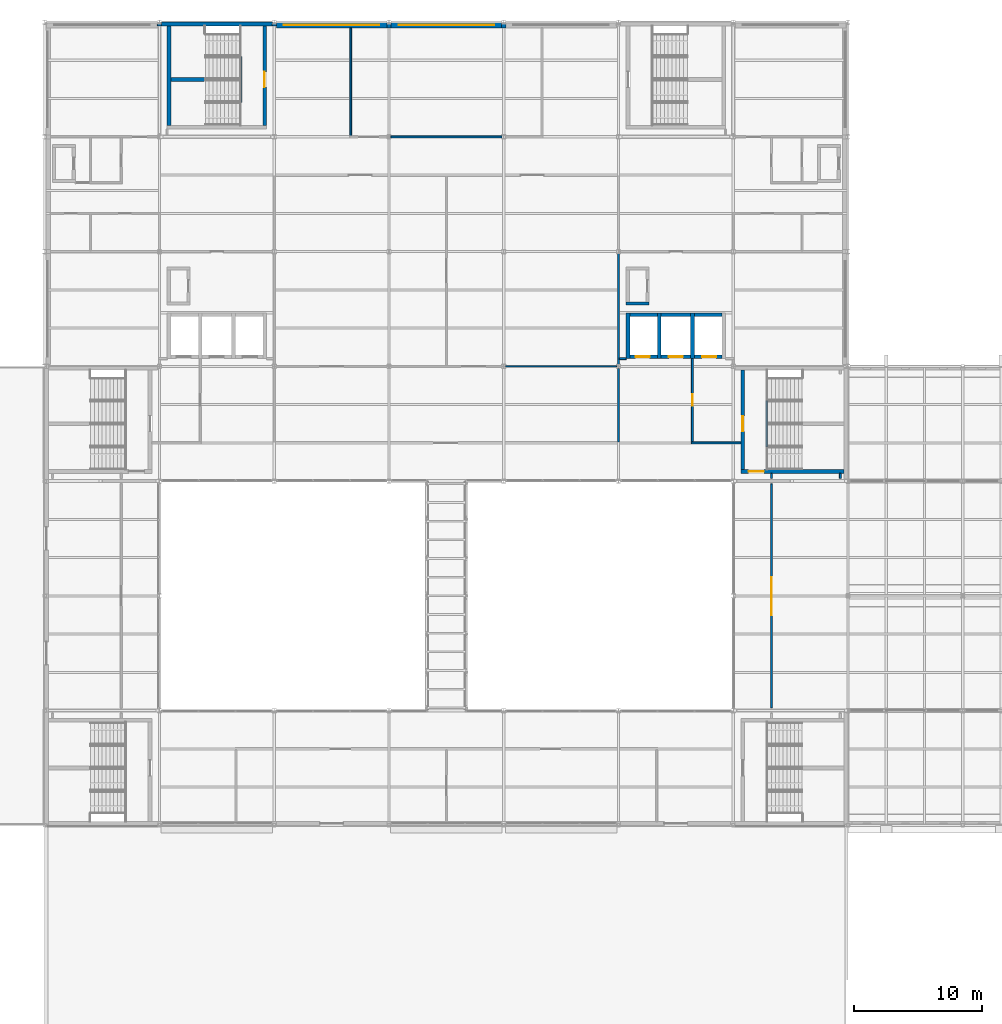
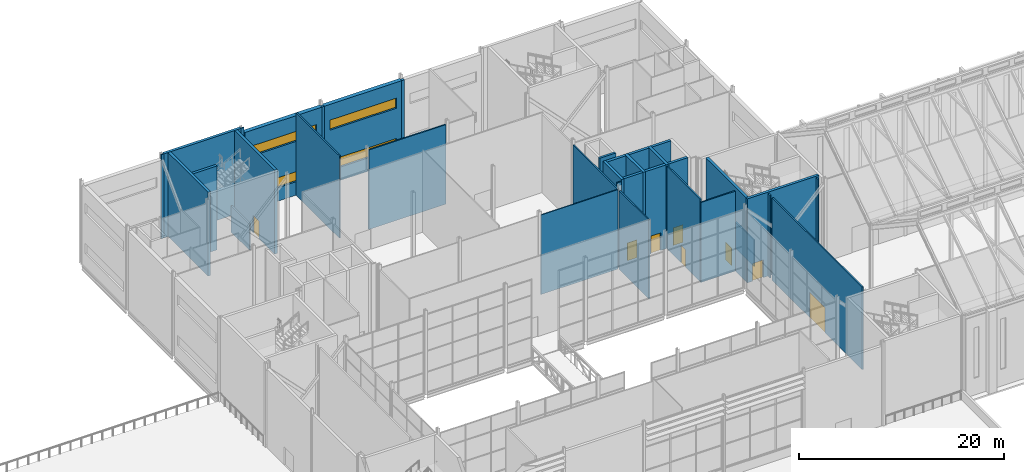
# One storey, part 91 of 111: 35 walls, 8 doors, 4 windows, 12 openings.
"""IFC4 building model written with IfcOpenShell, lengths in metres."""

from ifc_helpers import new_model, si_unit, direction, frame, frame_2d, origin, place, context, subcontext, project, spatial, rectangle, extrude, material, layer, layer_set, type_object, element, fill, save


model = new_model("IFC4")

# Units and contexts
model_context = context("Model", 3, precision=1e-05, world=origin(), true_north=direction((0.0, 1.0)))
body_context = subcontext(model_context, "Body", "Model", "MODEL_VIEW")
ifc_project = project(units=[si_unit("LENGTHUNIT", "METRE"), si_unit("AREAUNIT", "SQUARE_METRE"), si_unit("VOLUMEUNIT", "CUBIC_METRE"), si_unit("PLANEANGLEUNIT", "RADIAN"), si_unit("MASSUNIT", "GRAM", prefix="KILO")], contexts=[model_context])

# Site, building, storey
site_placement = place(None, origin())
site = spatial("IfcSite", under=ifc_project, at=site_placement, CompositionType="ELEMENT")
building_placement = place(site_placement, origin())
building = spatial("IfcBuilding", under=site, at=building_placement, Name="Shorebreak Coast Museum", CompositionType="ELEMENT")
storey_placement = place(building_placement, frame((0.0, 0.0, 16.0)))
storey = spatial("IfcBuildingStorey", under=building, at=storey_placement, Name="L03", CompositionType="ELEMENT", Elevation=16.0)

# Walls
ifc_material_1 = material(Name="Concrete N50 (50 MPa)", Category="concrete")
ifc_layer_1 = layer(ifc_material_1, 0.136474609375)
ifc_layer_set_1 = layer_set([ifc_layer_1], Name="Concrete N50 (50 MPa)")
wall_type_1 = type_object("IfcWallType", Name="Column closure panel 136", PredefinedType="SOLIDWALL", material=ifc_layer_set_1)
for number, where, z_axis, x_axis, name in (
    (1, (62.83349609375, 116.768310546875, 0.0), (0.0, 0.0, 1.0), (1.0, 0.0, 0.0), "Column closure panel L03 N 8P"),
    (2, (71.844482421875, 116.768310546875, 0.0), (0.0, 0.0, 1.0), (1.0, 0.0, 0.0), "Column closure panel L03 N 9P"),
):
    element("IfcWall", number, at=place(storey_placement, frame(where, z_axis=z_axis, x_axis=x_axis)), inside=storey, type_object=wall_type_1, Name=name, PredefinedType="SOLIDWALL", context=body_context, shape_type="SweptSolid", body=[
        extrude(rectangle(XDim=0.322021484375, YDim=0.136474609375, at=frame_2d((0.1611328125, 0.0))), origin(), (0.0, 0.0, 1.0), 10.0),
    ])
ifc_material_2 = material(Name="Concrete N50 (50 MPa)", Category="concrete")
ifc_layer_2 = layer(ifc_material_2, 0.286376953125)
ifc_layer_set_2 = layer_set([ifc_layer_2], Name="Concrete N50 (50 MPa)")
wall_type_2 = type_object("IfcWallType", Name="Column closure panel 286", PredefinedType="SOLIDWALL", material=ifc_layer_set_2)
for number, where, z_axis, x_axis, name in (
    (3, (80.839111328125, 116.693115234375, 0.0), (0.0, 0.0, 1.0), (1.0, 0.0, 0.0), "Column closure panel L03 N 10P"),
    (4, (89.839111328125, 116.693115234375, 0.0), (0.0, 0.0, 1.0), (1.0, 0.0, 0.0), "Column closure panel L03 N 11P"),
):
    element("IfcWall", number, at=place(storey_placement, frame(where, z_axis=z_axis, x_axis=x_axis)), inside=storey, type_object=wall_type_2, Name=name, PredefinedType="SOLIDWALL", context=body_context, shape_type="SweptSolid", body=[
        extrude(rectangle(XDim=0.32177734375, YDim=0.286376953125, at=frame_2d((0.160888671875, 0.0))), origin(), (0.0, 0.0, 1.0), 9.472900390625),
    ])

# Wall, openings, windows
ifc_material_3 = material(Name="Concrete N50 (50 MPa)", Category="concrete")
ifc_layer_3 = layer(ifc_material_3, 0.449951171875)
ifc_layer_set_3 = layer_set([ifc_layer_3], Name="Concrete N50 (50 MPa)")
wall_type_3 = type_object("IfcWallType", Name="Deep-set precast panel 450", PredefinedType="SOLIDWALL", material=ifc_layer_set_3)
wall_1_placement = place(storey_placement, frame((72.16650390625, 116.77490234375, 0.0), z_axis=(0.0, 0.0, 1.0), x_axis=(1.0, 0.0, 0.0)))
wall_1 = element("IfcWall", 5, at=wall_1_placement, inside=storey, type_object=wall_type_3, Name="External wall L03 N 9P", PredefinedType="SOLIDWALL", context=body_context, shape_type="SweptSolid", body=[
    extrude(rectangle(XDim=8.672607421875, YDim=0.449951171875, at=frame_2d((4.33642578125, 0.0))), origin(), (0.0, 0.0, 1.0), 9.472900390625),
])
opening_1_placement = place(wall_1_placement, frame((0.58349609375, 0.0, 1.60009765625)))
opening_1 = element("IfcOpeningElement", 6, at=opening_1_placement, cuts=wall_1, Name="Opening WN3022", PredefinedType="OPENING", context=body_context, shape_type="SweptSolid", body=[
    extrude(rectangle(XDim=7.5, YDim=1.199951171875, at=frame_2d((3.75, 0.60009765625))), frame((0.0, 0.23486328125, 0.0), z_axis=(0.0, -1.0, 0.0), x_axis=(1.0, 0.0, 0.0)), (0.0, 0.0, 1.0), 0.469970703125),
])
opening_2_placement = place(wall_1_placement, frame((0.58349609375, 0.0, 6.39990234375)))
opening_2 = element("IfcOpeningElement", 7, at=opening_2_placement, cuts=wall_1, Name="Opening WN3023", PredefinedType="OPENING", context=body_context, shape_type="SweptSolid", body=[
    extrude(rectangle(XDim=7.5, YDim=1.199951171875, at=frame_2d((3.75, 0.60009765625))), frame((0.0, 0.23486328125, 0.0), z_axis=(0.0, -1.0, 0.0), x_axis=(1.0, 0.0, 0.0)), (0.0, 0.0, 1.0), 0.469970703125),
])
ifc_material_4 = material(Name="Aluminium", Category="aluminium")
window_type_1 = type_object("IfcWindowType", Name="Ribbon window 7500 x 1200", PartitioningType="SINGLE_PANEL", PredefinedType="WINDOW", material=ifc_material_4)
window_1_placement = place(opening_1_placement, origin())
window_1 = element("IfcWindow", 8, at=window_1_placement, inside=storey, type_object=window_type_1, Name="Window WN3022", OverallHeight=1.199951171875, OverallWidth=7.5, PartitioningType="SINGLE_PANEL", PredefinedType="WINDOW", context=body_context, shape_type="SweptSolid", body=[
    extrude(rectangle(XDim=7.5, YDim=1.199951171875, at=frame_2d((3.75, 0.60009765625))), frame((0.0, 0.030029296875, 0.0), z_axis=(0.0, -1.0, 0.0), x_axis=(1.0, 0.0, 0.0)), (0.0, 0.0, 1.0), 0.06005859375),
])
fill(opening_1, window_1)
ifc_material_5 = material(Name="Aluminium", Category="aluminium")
window_type_2 = type_object("IfcWindowType", Name="Upper ribbon window 7500 x 1200", PartitioningType="SINGLE_PANEL", PredefinedType="WINDOW", material=ifc_material_5)
window_2_placement = place(opening_2_placement, origin())
window_2 = element("IfcWindow", 9, at=window_2_placement, inside=storey, type_object=window_type_2, Name="Window WN3023", OverallHeight=1.199951171875, OverallWidth=7.5, PartitioningType="SINGLE_PANEL", PredefinedType="WINDOW", context=body_context, shape_type="SweptSolid", body=[
    extrude(rectangle(XDim=7.5, YDim=1.199951171875, at=frame_2d((3.75, 0.60009765625))), frame((0.0, 0.030029296875, 0.0), z_axis=(0.0, -1.0, 0.0), x_axis=(1.0, 0.0, 0.0)), (0.0, 0.0, 1.0), 0.06005859375),
])
fill(opening_2, window_2)

wall_2_placement = place(storey_placement, frame((81.160888671875, 116.77490234375, 0.0), z_axis=(0.0, 0.0, 1.0), x_axis=(1.0, 0.0, 0.0)))
wall_2 = element("IfcWall", 10, at=wall_2_placement, inside=storey, type_object=wall_type_3, Name="External wall L03 N 10P", PredefinedType="SOLIDWALL", context=body_context, shape_type="SweptSolid", body=[
    extrude(rectangle(XDim=8.67822265625, YDim=0.449951171875, at=frame_2d((4.339111328125, 0.0))), origin(), (0.0, 0.0, 1.0), 9.472900390625),
])
opening_3_placement = place(wall_2_placement, frame((0.589111328125, 0.0, 1.60009765625)))
opening_3 = element("IfcOpeningElement", 11, at=opening_3_placement, cuts=wall_2, Name="Opening WN3024", PredefinedType="OPENING", context=body_context, shape_type="SweptSolid", body=[
    extrude(rectangle(XDim=7.5, YDim=1.199951171875, at=frame_2d((3.75, 0.60009765625))), frame((0.0, 0.23486328125, 0.0), z_axis=(0.0, -1.0, 0.0), x_axis=(1.0, 0.0, 0.0)), (0.0, 0.0, 1.0), 0.469970703125),
])
opening_4_placement = place(wall_2_placement, frame((0.589111328125, 0.0, 6.39990234375)))
opening_4 = element("IfcOpeningElement", 12, at=opening_4_placement, cuts=wall_2, Name="Opening WN3025", PredefinedType="OPENING", context=body_context, shape_type="SweptSolid", body=[
    extrude(rectangle(XDim=7.5, YDim=1.199951171875, at=frame_2d((3.75, 0.60009765625))), frame((0.0, 0.23486328125, 0.0), z_axis=(0.0, -1.0, 0.0), x_axis=(1.0, 0.0, 0.0)), (0.0, 0.0, 1.0), 0.469970703125),
])
window_3_placement = place(opening_3_placement, origin())
window_3 = element("IfcWindow", 13, at=window_3_placement, inside=storey, type_object=window_type_1, Name="Window WN3024", OverallHeight=1.199951171875, OverallWidth=7.5, PartitioningType="SINGLE_PANEL", PredefinedType="WINDOW", context=body_context, shape_type="SweptSolid", body=[
    extrude(rectangle(XDim=7.5, YDim=1.199951171875, at=frame_2d((3.75, 0.60009765625))), frame((0.0, 0.030029296875, 0.0), z_axis=(0.0, -1.0, 0.0), x_axis=(1.0, 0.0, 0.0)), (0.0, 0.0, 1.0), 0.06005859375),
])
fill(opening_3, window_3)
window_4_placement = place(opening_4_placement, origin())
window_4 = element("IfcWindow", 14, at=window_4_placement, inside=storey, type_object=window_type_2, Name="Window WN3025", OverallHeight=1.199951171875, OverallWidth=7.5, PartitioningType="SINGLE_PANEL", PredefinedType="WINDOW", context=body_context, shape_type="SweptSolid", body=[
    extrude(rectangle(XDim=7.5, YDim=1.199951171875, at=frame_2d((3.75, 0.60009765625))), frame((0.0, 0.030029296875, 0.0), z_axis=(0.0, -1.0, 0.0), x_axis=(1.0, 0.0, 0.0)), (0.0, 0.0, 1.0), 0.06005859375),
])
fill(opening_4, window_4)

# Walls
ifc_material_6 = material(Name="Plasterboard on steel stud", Category="steel")
ifc_layer_4 = layer(ifc_material_6, 0.14990234375)
ifc_layer_set_4 = layer_set([ifc_layer_4], Name="Plasterboard on steel stud")
wall_type_4 = type_object("IfcWallType", Name="Fire partition 150", PredefinedType="PARTITIONING", material=ifc_layer_set_4)
wall_3_placement = place(storey_placement, frame((104.72509765625, 84.0, 0.0), z_axis=(0.0, 0.0, 1.0), x_axis=(1.0, 0.0, 0.0)))
element("IfcWall", 15, at=wall_3_placement, inside=storey, type_object=wall_type_4, Name="Partition L03-018", PredefinedType="PARTITIONING", context=body_context, shape_type="SweptSolid", body=[
    extrude(rectangle(XDim=3.875, YDim=0.14990234375, at=frame_2d((1.9375, 0.0))), origin(), (0.0, 0.0, 1.0), 9.52099609375),
])
wall_4_placement = place(storey_placement, frame((99.074951171875, 90.60009765625, 0.0), z_axis=(0.0, 0.0, 1.0), x_axis=(1.0, 0.0, 0.0)))
element("IfcWall", 16, at=wall_4_placement, inside=storey, type_object=wall_type_4, Name="Partition L03-024", PredefinedType="PARTITIONING", context=body_context, shape_type="SweptSolid", body=[
    extrude(rectangle(XDim=0.525146484375, YDim=0.14990234375, at=frame_2d((0.2626953125, 0.0))), origin(), (0.0, 0.0, 1.0), 9.824951171875),
])
wall_5_placement = place(storey_placement, frame((81.152587890625, 108.0, 0.0), z_axis=(0.0, 0.0, 1.0), x_axis=(1.0, 0.0, 0.0)))
element("IfcWall", 17, at=wall_5_placement, inside=storey, type_object=wall_type_4, Name="Partition L03-037", PredefinedType="PARTITIONING", context=body_context, shape_type="SweptSolid", body=[
    extrude(rectangle(XDim=8.69482421875, YDim=0.14990234375, at=frame_2d((4.347412109375, 0.0))), origin(), (0.0, 0.0, 1.0), 9.472900390625),
])
wall_6_placement = place(storey_placement, frame((78.0, 108.074951171875, 0.0), z_axis=(0.0, 0.0, 1.0), x_axis=(0.0, 1.0, 0.0)))
element("IfcWall", 18, at=wall_6_placement, inside=storey, type_object=wall_type_4, Name="Partition L03-056", PredefinedType="PARTITIONING", context=body_context, shape_type="SweptSolid", body=[
    extrude(rectangle(XDim=8.47509765625, YDim=0.14990234375, at=frame_2d((4.237548828125, 0.0))), origin(), (0.0, 0.0, 1.0), 9.824951171875),
])
wall_7_placement = place(storey_placement, frame((99.0, 84.074951171875, 0.0), z_axis=(0.0, 0.0, 1.0), x_axis=(0.0, 1.0, 0.0)))
element("IfcWall", 19, at=wall_7_placement, inside=storey, type_object=wall_type_4, Name="Partition L03-060", PredefinedType="PARTITIONING", context=body_context, shape_type="SweptSolid", body=[
    extrude(rectangle(XDim=5.761474609375, YDim=0.14990234375, at=frame_2d((2.880859375, 0.0))), origin(), (0.0, 0.0, 1.0), 9.37109375),
])
wall_8_placement = place(storey_placement, frame((99.0, 90.16357421875, 0.0), z_axis=(0.0, 0.0, 1.0), x_axis=(0.0, 1.0, 0.0)))
element("IfcWall", 20, at=wall_8_placement, inside=storey, type_object=wall_type_4, Name="Partition L03-061", PredefinedType="PARTITIONING", context=body_context, shape_type="SweptSolid", body=[
    extrude(rectangle(XDim=8.682373046875, YDim=0.14990234375, at=frame_2d((4.34130859375, 0.0))), origin(), (0.0, 0.0, 1.0), 9.37109375),
])

# Wall, opening, door
wall_9_placement = place(storey_placement, frame((104.800048828125, 84.074951171875, 0.0), z_axis=(0.0, 0.0, 1.0), x_axis=(0.0, 1.0, 0.0)))
wall_9 = element("IfcWall", 21, at=wall_9_placement, inside=storey, type_object=wall_type_4, Name="Partition L03-064", PredefinedType="PARTITIONING", context=body_context, shape_type="SweptSolid", body=[
    extrude(rectangle(XDim=6.525146484375, YDim=0.14990234375, at=frame_2d((3.2626953125, 0.0))), origin(), (0.0, 0.0, 1.0), 9.824951171875),
])
opening_5_placement = place(wall_9_placement, frame((2.85009765625, 0.0, 0.0)))
opening_5 = element("IfcOpeningElement", 22, at=opening_5_placement, cuts=wall_9, Name="Opening D3002", PredefinedType="OPENING", context=body_context, shape_type="SweptSolid", body=[
    extrude(rectangle(XDim=0.89990234375, YDim=2.10009765625, at=frame_2d((0.449951171875, 1.050048828125))), frame((0.0, 0.0849609375, 0.0), z_axis=(0.0, -1.0, 0.0), x_axis=(1.0, 0.0, 0.0)), (0.0, 0.0, 1.0), 0.169921875),
])
ifc_material_7 = material(Name="Steel", Category="steel")
door_type_1 = type_object("IfcDoorType", Name="Fire door 900x2100 60", OperationType="SINGLE_SWING_LEFT", PredefinedType="DOOR", material=ifc_material_7)
door_1_placement = place(opening_5_placement, origin())
door_1 = element("IfcDoor", 23, at=door_1_placement, inside=storey, type_object=door_type_1, Name="Door D3002 Firefighting Lift Lobby E", OperationType="SINGLE_SWING_RIGHT", OverallHeight=2.10009765625, OverallWidth=0.89990234375, PredefinedType="DOOR", context=body_context, shape_type="SweptSolid", body=[
    extrude(rectangle(XDim=0.89990234375, YDim=2.10009765625, at=frame_2d((0.449951171875, 1.050048828125))), frame((0.0, 0.02490234375, 0.0), z_axis=(0.0, -1.0, 0.0), x_axis=(1.0, 0.0, 0.0)), (0.0, 0.0, 1.0), 0.050048828125),
])
fill(opening_5, door_1)

wall_10_placement = place(storey_placement, frame((111.0, 63.219970703125, 0.0), z_axis=(0.0, 0.0, 1.0), x_axis=(0.0, 1.0, 0.0)))
wall_10 = element("IfcWall", 24, at=wall_10_placement, inside=storey, type_object=wall_type_4, Name="Partition L03-069", PredefinedType="PARTITIONING", context=body_context, shape_type="SweptSolid", body=[
    extrude(rectangle(XDim=17.56005859375, YDim=0.14990234375, at=frame_2d((8.780029296875, 0.0))), origin(), (0.0, 0.0, 1.0), 9.824951171875),
])
opening_6_placement = place(wall_10_placement, frame((7.25, 0.0, 0.0)))
opening_6 = element("IfcOpeningElement", 25, at=opening_6_placement, cuts=wall_10, Name="Opening D3028", PredefinedType="OPENING", context=body_context, shape_type="SweptSolid", body=[
    extrude(rectangle(XDim=3.0, YDim=3.0, at=frame_2d((1.5, 1.5))), frame((0.0, 0.0849609375, 0.0), z_axis=(0.0, -1.0, 0.0), x_axis=(1.0, 0.0, 0.0)), (0.0, 0.0, 1.0), 0.169921875),
])
ifc_material_8 = material(Name="Steel", Category="steel")
door_type_2 = type_object("IfcDoorType", Name="Fire door 3000x3000 60", OperationType="DOUBLE_DOOR_SINGLE_SWING", PredefinedType="DOOR", material=ifc_material_8)
door_2_placement = place(opening_6_placement, origin())
door_2 = element("IfcDoor", 26, at=door_2_placement, inside=storey, type_object=door_type_2, Name="Door D3028 Top-lit Gallery 3.01", OperationType="DOUBLE_DOOR_SINGLE_SWING", OverallHeight=3.0, OverallWidth=3.0, PredefinedType="DOOR", context=body_context, shape_type="SweptSolid", body=[
    extrude(rectangle(XDim=3.0, YDim=3.0, at=frame_2d((1.5, 1.5))), frame((0.0, 0.02490234375, 0.0), z_axis=(0.0, -1.0, 0.0), x_axis=(1.0, 0.0, 0.0)), (0.0, 0.0, 1.0), 0.050048828125),
])
fill(opening_6, door_2)

# Walls
for number, where, z_axis, x_axis, name in (
    (27, (111.0, 81.219970703125, 0.0), (0.0, 0.0, 1.0), (0.0, 1.0, 0.0), "Partition L03-070"),
    (28, (116.39990234375, 81.219970703125, 0.0), (0.0, 0.0, 1.0), (0.0, 1.0, 0.0), "Partition L03-075"),
):
    element("IfcWall", number, at=place(storey_placement, frame(where, z_axis=z_axis, x_axis=x_axis)), inside=storey, type_object=wall_type_4, Name=name, PredefinedType="PARTITIONING", context=body_context, shape_type="SweptSolid", body=[
        extrude(rectangle(XDim=0.380126953125, YDim=0.14990234375, at=frame_2d((0.18994140625, 0.0))), origin(), (0.0, 0.0, 1.0), 9.824951171875),
    ])
ifc_material_9 = material(Name="Plasterboard on steel stud", Category="steel")
ifc_layer_5 = layer(ifc_material_9, 0.10009765625)
ifc_layer_set_5 = layer_set([ifc_layer_5], Name="Plasterboard on steel stud")
wall_type_5 = type_object("IfcWallType", Name="Partition 100", PredefinedType="PARTITIONING", material=ifc_layer_set_5)
wall_11_placement = place(storey_placement, frame((90.155517578125, 90.0, 0.0), z_axis=(0.0, 0.0, 1.0), x_axis=(1.0, 0.0, 0.0)))
element("IfcWall", 29, at=wall_11_placement, inside=storey, type_object=wall_type_5, Name="Partition L03-021", PredefinedType="PARTITIONING", context=body_context, shape_type="SweptSolid", body=[
    extrude(rectangle(XDim=8.68896484375, YDim=0.10009765625, at=frame_2d((4.344482421875, 0.0))), origin(), (0.0, 0.0, 1.0), 9.472900390625),
])
ifc_material_10 = material(Name="Concrete N50 (50 MPa)", Category="concrete")
ifc_layer_6 = layer(ifc_material_10, 0.25)
ifc_layer_set_6 = layer_set([ifc_layer_6], Name="Concrete N50 (50 MPa)")
wall_type_6 = type_object("IfcWallType", Name="RC riser wall 250", PredefinedType="STANDARD", material=ifc_layer_set_6)
wall_12_placement = place(storey_placement, frame((99.60009765625, 94.925048828125, 0.0), z_axis=(0.0, 0.0, 1.0), x_axis=(1.0, 0.0, 0.0)))
element("IfcWall", 30, at=wall_12_placement, inside=storey, type_object=wall_type_6, Name="Riser wall R-LBE L03 S", PredefinedType="STANDARD", context=body_context, shape_type="SweptSolid", body=[
    extrude(rectangle(XDim=1.7998046875, YDim=0.25, at=frame_2d((0.89990234375, 0.0))), origin(), (0.0, 0.0, 1.0), 10.0),
])

# Wall, opening, door
ifc_material_11 = material(Name="Concrete N50 (50 MPa)", Category="concrete")
ifc_layer_7 = layer(ifc_material_11, 0.300048828125)
ifc_layer_set_7 = layer_set([ifc_layer_7], Name="Concrete N50 (50 MPa)")
wall_type_7 = type_object("IfcWallType", Name="RC wall 300", PredefinedType="SHEAR", material=ifc_layer_set_7)
wall_13_placement = place(storey_placement, frame((108.60009765625, 81.75, 0.0), z_axis=(0.0, 0.0, 1.0), x_axis=(1.0, 0.0, 0.0)))
wall_13 = element("IfcWall", 31, at=wall_13_placement, inside=storey, type_object=wall_type_7, Name="Stair core wall ST04 L03 S", PredefinedType="SHEAR", context=body_context, shape_type="SweptSolid", body=[
    extrude(rectangle(XDim=8.099853515625, YDim=0.300048828125, at=frame_2d((4.0498046875, 0.0))), origin(), (0.0, 0.0, 1.0), 10.0),
])
opening_7_placement = place(wall_13_placement, frame((0.60009765625, 0.0, 0.0)))
opening_7 = element("IfcOpeningElement", 32, at=opening_7_placement, cuts=wall_13, Name="Opening D3704", PredefinedType="OPENING", context=body_context, shape_type="SweptSolid", body=[
    extrude(rectangle(XDim=1.199951171875, YDim=2.10009765625, at=frame_2d((0.60009765625, 1.050048828125))), frame((0.0, 0.159912109375, 0.0), z_axis=(0.0, -1.0, 0.0), x_axis=(1.0, 0.0, 0.0)), (0.0, 0.0, 1.0), 0.320068359375),
])
ifc_material_12 = material(Name="Steel Grade 300", Category="steel")
door_type_3 = type_object("IfcDoorType", Name="Fire door 1200x2100", OperationType="SINGLE_SWING_LEFT", PredefinedType="DOOR", material=ifc_material_12)
door_3_placement = place(opening_7_placement, origin())
door_3 = element("IfcDoor", 33, at=door_3_placement, inside=storey, type_object=door_type_3, Name="Stair door ST04 L03 south", OperationType="SINGLE_SWING_RIGHT", OverallHeight=2.10009765625, OverallWidth=1.199951171875, PredefinedType="DOOR", context=body_context, shape_type="SweptSolid", body=[
    extrude(rectangle(XDim=1.199951171875, YDim=2.10009765625, at=frame_2d((0.60009765625, 1.050048828125))), frame((0.0, 0.02490234375, 0.0), z_axis=(0.0, -1.0, 0.0), x_axis=(1.0, 0.0, 0.0)), (0.0, 0.0, 1.0), 0.050048828125),
])
fill(opening_7, door_3)

wall_14_placement = place(storey_placement, frame((108.75, 81.89990234375, 0.0), z_axis=(0.0, 0.0, 1.0), x_axis=(0.0, 1.0, 0.0)))
wall_14 = element("IfcWall", 34, at=wall_14_placement, inside=storey, type_object=wall_type_7, Name="Stair core wall ST04 L03 W", PredefinedType="SHEAR", context=body_context, shape_type="SweptSolid", body=[
    extrude(rectangle(XDim=7.800048828125, YDim=0.300048828125, at=frame_2d((3.89990234375, 0.0))), origin(), (0.0, 0.0, 1.0), 10.0),
])
opening_8_placement = place(wall_14_placement, frame((3.0, 0.0, 0.0)))
opening_8 = element("IfcOpeningElement", 35, at=opening_8_placement, cuts=wall_14, Name="Opening D3804", PredefinedType="OPENING", context=body_context, shape_type="SweptSolid", body=[
    extrude(rectangle(XDim=1.199951171875, YDim=2.10009765625, at=frame_2d((0.60009765625, 1.050048828125))), frame((0.0, 0.159912109375, 0.0), z_axis=(0.0, -1.0, 0.0), x_axis=(1.0, 0.0, 0.0)), (0.0, 0.0, 1.0), 0.320068359375),
])
door_4_placement = place(opening_8_placement, origin())
door_4 = element("IfcDoor", 36, at=door_4_placement, inside=storey, type_object=door_type_3, Name="Stair door ST04 L03", OperationType="SINGLE_SWING_LEFT", OverallHeight=2.10009765625, OverallWidth=1.199951171875, PredefinedType="DOOR", context=body_context, shape_type="SweptSolid", body=[
    extrude(rectangle(XDim=1.199951171875, YDim=2.10009765625, at=frame_2d((0.60009765625, 1.050048828125))), frame((0.0, 0.02490234375, 0.0), z_axis=(0.0, -1.0, 0.0), x_axis=(1.0, 0.0, 0.0)), (0.0, 0.0, 1.0), 0.050048828125),
])
fill(opening_8, door_4)

# Walls
wall_15_placement = place(storey_placement, frame((63.155517578125, 116.85009765625, 0.0), z_axis=(0.0, 0.0, 1.0), x_axis=(1.0, 0.0, 0.0)))
element("IfcWall", 37, at=wall_15_placement, inside=storey, type_object=wall_type_7, Name="Stair core wall ST09 L03 N", PredefinedType="SHEAR", context=body_context, shape_type="SweptSolid", body=[
    extrude(rectangle(XDim=8.68896484375, YDim=0.300048828125, at=frame_2d((4.344482421875, 0.0))), origin(), (0.0, 0.0, 1.0), 10.0),
])
wall_16_placement = place(storey_placement, frame((63.75, 108.89990234375, 0.0), z_axis=(0.0, 0.0, 1.0), x_axis=(0.0, 1.0, 0.0)))
element("IfcWall", 38, at=wall_16_placement, inside=storey, type_object=wall_type_7, Name="Stair core wall ST09 L03 W", PredefinedType="SHEAR", context=body_context, shape_type="SweptSolid", body=[
    extrude(rectangle(XDim=7.800048828125, YDim=0.300048828125, at=frame_2d((3.89990234375, 0.0))), origin(), (0.0, 0.0, 1.0), 10.0),
])

# Wall, opening, door
wall_17_placement = place(storey_placement, frame((71.25, 108.89990234375, 0.0), z_axis=(0.0, 0.0, 1.0), x_axis=(0.0, 1.0, 0.0)))
wall_17 = element("IfcWall", 39, at=wall_17_placement, inside=storey, type_object=wall_type_7, Name="Stair core wall ST09 L03 E", PredefinedType="SHEAR", context=body_context, shape_type="SweptSolid", body=[
    extrude(rectangle(XDim=7.800048828125, YDim=0.300048828125, at=frame_2d((3.89990234375, 0.0))), origin(), (0.0, 0.0, 1.0), 10.0),
])
opening_9_placement = place(wall_17_placement, frame((3.0, 0.0, 0.0)))
opening_9 = element("IfcOpeningElement", 40, at=opening_9_placement, cuts=wall_17, Name="Opening D3809", PredefinedType="OPENING", context=body_context, shape_type="SweptSolid", body=[
    extrude(rectangle(XDim=1.199951171875, YDim=2.10009765625, at=frame_2d((0.60009765625, 1.050048828125))), frame((0.0, 0.159912109375, 0.0), z_axis=(0.0, -1.0, 0.0), x_axis=(1.0, 0.0, 0.0)), (0.0, 0.0, 1.0), 0.320068359375),
])
door_5_placement = place(opening_9_placement, origin())
door_5 = element("IfcDoor", 41, at=door_5_placement, inside=storey, type_object=door_type_3, Name="Stair door ST09 L03", OperationType="SINGLE_SWING_RIGHT", OverallHeight=2.10009765625, OverallWidth=1.199951171875, PredefinedType="DOOR", context=body_context, shape_type="SweptSolid", body=[
    extrude(rectangle(XDim=1.199951171875, YDim=2.10009765625, at=frame_2d((0.60009765625, 1.050048828125))), frame((0.0, 0.02490234375, 0.0), z_axis=(0.0, -1.0, 0.0), x_axis=(1.0, 0.0, 0.0)), (0.0, 0.0, 1.0), 0.050048828125),
])
fill(opening_9, door_5)

# Walls
wall_18_placement = place(storey_placement, frame((66.60009765625, 112.5, 0.0), z_axis=(0.0, 0.0, 1.0), x_axis=(-1.0, 0.0, 0.0)))
element("IfcWall", 42, at=wall_18_placement, inside=storey, type_object=wall_type_7, Name="Stair spine wall ST09 L03", PredefinedType="SHEAR", context=body_context, shape_type="SweptSolid", body=[
    extrude(rectangle(XDim=2.7001953125, YDim=0.300048828125, at=frame_2d((1.35009765625, 0.0))), origin(), (0.0, 0.0, 1.0), 10.0),
])
for number, where, z_axis, x_axis, name in (
    (43, (99.75, 90.60009765625, 0.0), (0.0, 0.0, 1.0), (0.0, 1.0, 0.0), "Lift shaft wall LBE L03 1"),
    (44, (102.199951171875, 90.60009765625, 0.0), (0.0, 0.0, 1.0), (0.0, 1.0, 0.0), "Lift shaft wall LBE L03 2"),
    (45, (104.800048828125, 90.60009765625, 0.0), (0.0, 0.0, 1.0), (0.0, 1.0, 0.0), "Lift shaft wall LBE L03 3"),
):
    element("IfcWall", number, at=place(storey_placement, frame(where, z_axis=z_axis, x_axis=x_axis)), inside=storey, type_object=wall_type_7, Name=name, PredefinedType="SHEAR", context=body_context, shape_type="SweptSolid", body=[
        extrude(rectangle(XDim=3.599853515625, YDim=0.300048828125, at=frame_2d((1.7998046875, 0.0))), origin(), (0.0, 0.0, 1.0), 10.0),
    ])

# Wall, opening, door
wall_19_placement = place(storey_placement, frame((99.89990234375, 90.75, 0.0), z_axis=(0.0, 0.0, 1.0), x_axis=(1.0, 0.0, 0.0)))
wall_19 = element("IfcWall", 46, at=wall_19_placement, inside=storey, type_object=wall_type_7, Name="Lift shaft wall P3 L03 F", PredefinedType="SHEAR", context=body_context, shape_type="SweptSolid", body=[
    extrude(rectangle(XDim=2.150146484375, YDim=0.300048828125, at=frame_2d((1.0751953125, 0.0))), origin(), (0.0, 0.0, 1.0), 10.0),
])
opening_10_placement = place(wall_19_placement, frame((0.449951171875, 0.0, 0.0)))
opening_10 = element("IfcOpeningElement", 47, at=opening_10_placement, cuts=wall_19, Name="Opening LD3-P3", PredefinedType="OPENING", context=body_context, shape_type="SweptSolid", body=[
    extrude(rectangle(XDim=1.10009765625, YDim=2.10009765625, at=frame_2d((0.550048828125, 1.050048828125))), frame((0.0, 0.159912109375, 0.0), z_axis=(0.0, -1.0, 0.0), x_axis=(1.0, 0.0, 0.0)), (0.0, 0.0, 1.0), 0.320068359375),
])
ifc_material_13 = material(Name="Steel Grade 300", Category="steel")
door_type_4 = type_object("IfcDoorType", Name="Landing door 1100x2100", OperationType="DOUBLE_DOOR_SLIDING", PredefinedType="DOOR", material=ifc_material_13)
door_6_placement = place(opening_10_placement, origin())
door_6 = element("IfcDoor", 48, at=door_6_placement, inside=storey, type_object=door_type_4, Name="Landing door P3 L03", OperationType="DOUBLE_DOOR_SLIDING", OverallHeight=2.10009765625, OverallWidth=1.10009765625, PredefinedType="DOOR", context=body_context, shape_type="SweptSolid", body=[
    extrude(rectangle(XDim=1.10009765625, YDim=2.10009765625, at=frame_2d((0.550048828125, 1.050048828125))), frame((0.0, 0.02490234375, 0.0), z_axis=(0.0, -1.0, 0.0), x_axis=(1.0, 0.0, 0.0)), (0.0, 0.0, 1.0), 0.050048828125),
])
fill(opening_10, door_6)

# Wall
wall_20_placement = place(storey_placement, frame((99.89990234375, 94.050048828125, 0.0), z_axis=(0.0, 0.0, 1.0), x_axis=(1.0, 0.0, 0.0)))
element("IfcWall", 49, at=wall_20_placement, inside=storey, type_object=wall_type_7, Name="Lift shaft wall P3 L03 B", PredefinedType="SHEAR", context=body_context, shape_type="SweptSolid", body=[
    extrude(rectangle(XDim=2.150146484375, YDim=0.300048828125, at=frame_2d((1.0751953125, 0.0))), origin(), (0.0, 0.0, 1.0), 10.0),
])

# Wall, opening, door
wall_21_placement = place(storey_placement, frame((102.35009765625, 90.75, 0.0), z_axis=(0.0, 0.0, 1.0), x_axis=(1.0, 0.0, 0.0)))
wall_21 = element("IfcWall", 50, at=wall_21_placement, inside=storey, type_object=wall_type_7, Name="Lift shaft wall P4 L03 F", PredefinedType="SHEAR", context=body_context, shape_type="SweptSolid", body=[
    extrude(rectangle(XDim=2.2998046875, YDim=0.300048828125, at=frame_2d((1.14990234375, 0.0))), origin(), (0.0, 0.0, 1.0), 10.0),
])
opening_11_placement = place(wall_21_placement, frame((0.60009765625, 0.0, 0.0)))
opening_11 = element("IfcOpeningElement", 51, at=opening_11_placement, cuts=wall_21, Name="Opening LD3-P4", PredefinedType="OPENING", context=body_context, shape_type="SweptSolid", body=[
    extrude(rectangle(XDim=1.10009765625, YDim=2.10009765625, at=frame_2d((0.550048828125, 1.050048828125))), frame((0.0, 0.159912109375, 0.0), z_axis=(0.0, -1.0, 0.0), x_axis=(1.0, 0.0, 0.0)), (0.0, 0.0, 1.0), 0.320068359375),
])
door_7_placement = place(opening_11_placement, origin())
door_7 = element("IfcDoor", 52, at=door_7_placement, inside=storey, type_object=door_type_4, Name="Landing door P4 L03", OperationType="DOUBLE_DOOR_SLIDING", OverallHeight=2.10009765625, OverallWidth=1.10009765625, PredefinedType="DOOR", context=body_context, shape_type="SweptSolid", body=[
    extrude(rectangle(XDim=1.10009765625, YDim=2.10009765625, at=frame_2d((0.550048828125, 1.050048828125))), frame((0.0, 0.02490234375, 0.0), z_axis=(0.0, -1.0, 0.0), x_axis=(1.0, 0.0, 0.0)), (0.0, 0.0, 1.0), 0.050048828125),
])
fill(opening_11, door_7)

# Wall
wall_22_placement = place(storey_placement, frame((102.35009765625, 94.050048828125, 0.0), z_axis=(0.0, 0.0, 1.0), x_axis=(1.0, 0.0, 0.0)))
element("IfcWall", 53, at=wall_22_placement, inside=storey, type_object=wall_type_7, Name="Lift shaft wall P4 L03 B", PredefinedType="SHEAR", context=body_context, shape_type="SweptSolid", body=[
    extrude(rectangle(XDim=2.2998046875, YDim=0.300048828125, at=frame_2d((1.14990234375, 0.0))), origin(), (0.0, 0.0, 1.0), 10.0),
])

# Wall, opening, door
wall_23_placement = place(storey_placement, frame((104.949951171875, 90.75, 0.0), z_axis=(0.0, 0.0, 1.0), x_axis=(1.0, 0.0, 0.0)))
wall_23 = element("IfcWall", 54, at=wall_23_placement, inside=storey, type_object=wall_type_7, Name="Lift shaft wall FL2 L03 F", PredefinedType="SHEAR", context=body_context, shape_type="SweptSolid", body=[
    extrude(rectangle(XDim=2.150146484375, YDim=0.300048828125, at=frame_2d((1.0751953125, 0.0))), origin(), (0.0, 0.0, 1.0), 10.0),
])
opening_12_placement = place(wall_23_placement, frame((0.60009765625, 0.0, 0.0)))
opening_12 = element("IfcOpeningElement", 55, at=opening_12_placement, cuts=wall_23, Name="Opening LD3-FL2", PredefinedType="OPENING", context=body_context, shape_type="SweptSolid", body=[
    extrude(rectangle(XDim=1.10009765625, YDim=2.10009765625, at=frame_2d((0.550048828125, 1.050048828125))), frame((0.0, 0.159912109375, 0.0), z_axis=(0.0, -1.0, 0.0), x_axis=(1.0, 0.0, 0.0)), (0.0, 0.0, 1.0), 0.320068359375),
])
door_8_placement = place(opening_12_placement, origin())
door_8 = element("IfcDoor", 56, at=door_8_placement, inside=storey, type_object=door_type_4, Name="Landing door FL2 L03", OperationType="DOUBLE_DOOR_SLIDING", OverallHeight=2.10009765625, OverallWidth=1.10009765625, PredefinedType="DOOR", context=body_context, shape_type="SweptSolid", body=[
    extrude(rectangle(XDim=1.10009765625, YDim=2.10009765625, at=frame_2d((0.550048828125, 1.050048828125))), frame((0.0, 0.02490234375, 0.0), z_axis=(0.0, -1.0, 0.0), x_axis=(1.0, 0.0, 0.0)), (0.0, 0.0, 1.0), 0.050048828125),
])
fill(opening_12, door_8)

# Walls
wall_24_placement = place(storey_placement, frame((104.949951171875, 94.050048828125, 0.0), z_axis=(0.0, 0.0, 1.0), x_axis=(1.0, 0.0, 0.0)))
element("IfcWall", 57, at=wall_24_placement, inside=storey, type_object=wall_type_7, Name="Lift shaft wall FL2 L03 B", PredefinedType="SHEAR", context=body_context, shape_type="SweptSolid", body=[
    extrude(rectangle(XDim=2.150146484375, YDim=0.300048828125, at=frame_2d((1.0751953125, 0.0))), origin(), (0.0, 0.0, 1.0), 10.0),
])
ifc_material_14 = material(Name="Concrete N50 (50 MPa)", Category="concrete")
ifc_layer_8 = layer(ifc_material_14, 0.14990234375)
ifc_layer_set_8 = layer_set([ifc_layer_8], Name="Concrete N50 (50 MPa)")
wall_type_8 = type_object("IfcWallType", Name="Understair wall 150", PredefinedType="STANDARD", material=ifc_layer_set_8)
for number, where, z_axis, x_axis, name in (
    (58, (110.625, 83.699951171875, 0.0), (0.0, 0.0, 1.0), (0.0, 1.0, 0.0), "Understair wall ST04 L03 floor"),
    (59, (69.375, 110.699951171875, 0.0), (0.0, 0.0, 1.0), (0.0, 1.0, 0.0), "Understair wall ST09 L03 floor"),
):
    element("IfcWall", number, at=place(storey_placement, frame(where, z_axis=z_axis, x_axis=x_axis)), inside=storey, type_object=wall_type_8, Name=name, PredefinedType="STANDARD", context=body_context, shape_type="SweptSolid", body=[
        extrude(rectangle(XDim=3.60009765625, YDim=0.14990234375, at=frame_2d((1.800048828125, 0.0))), origin(), (0.0, 0.0, 1.0), 3.13330078125),
    ])

save(model, "model.ifc")
